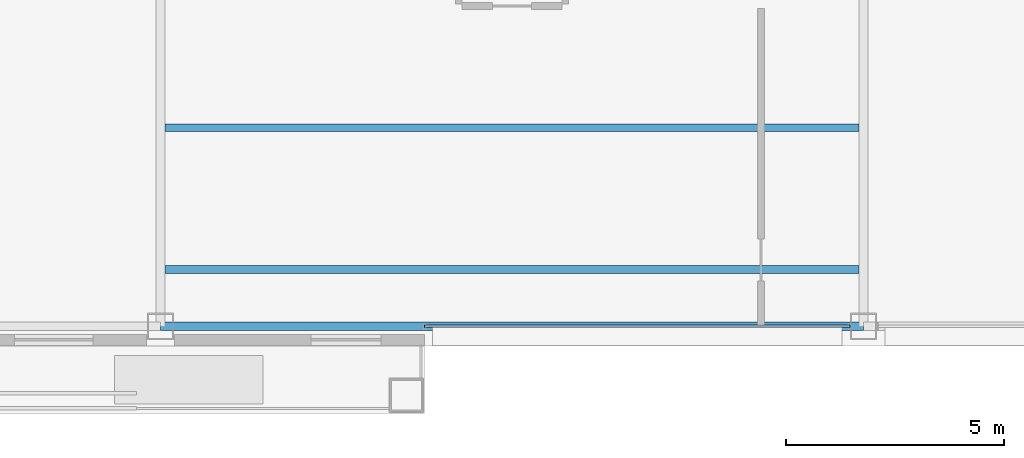
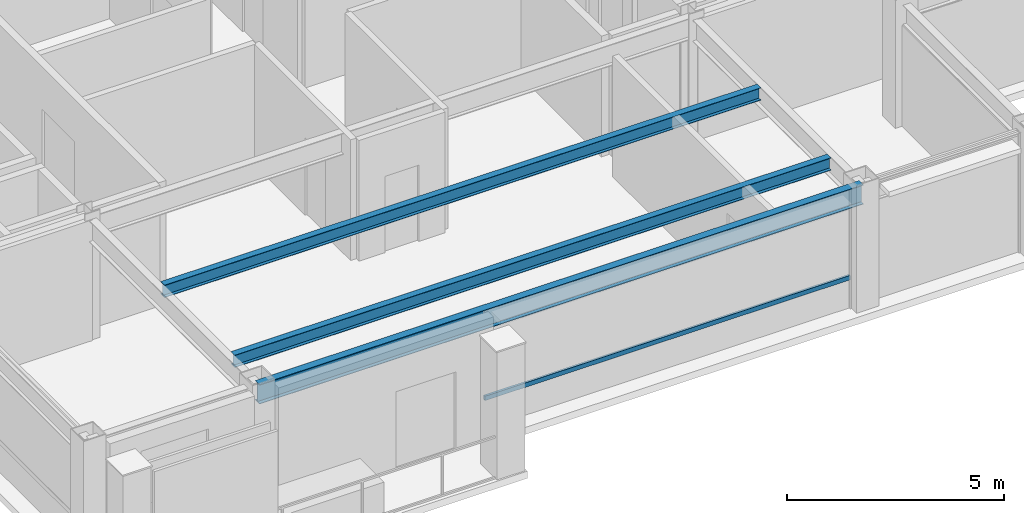
# One storey, part 6 of 24: 3 beams, 1 member, 1 element without a shape of its own.
"""IFC4 building model written with IfcOpenShell, lengths in metres."""

from ifc_helpers import new_model, si_unit, direction, frame, origin, origin_2d, place, context, subcontext, project, spatial, hollow_rectangle, i_section, extrude, material, layer, layer_set, material_profile, profile_set, type_object, element, aggregate, save


model = new_model("IFC4")

# Units and contexts
model_context = context("Model", 3, precision=1e-05, world=origin(), true_north=direction((0.0, 1.0)))
body_context = subcontext(model_context, "Body", "Model", "MODEL_VIEW")
ifc_project = project(units=[si_unit("LENGTHUNIT", "METRE"), si_unit("AREAUNIT", "SQUARE_METRE"), si_unit("VOLUMEUNIT", "CUBIC_METRE"), si_unit("PLANEANGLEUNIT", "RADIAN"), si_unit("MASSUNIT", "GRAM", prefix="KILO")], contexts=[model_context])

# Site, building, storey
site_placement = place(None, origin())
site = spatial("IfcSite", under=ifc_project, at=site_placement, CompositionType="ELEMENT")
building_placement = place(site_placement, origin())
building = spatial("IfcBuilding", under=site, at=building_placement, Name="Brelmoor Portico Tower", CompositionType="ELEMENT")
storey_placement = place(building_placement, frame((0.0, 0.0, 254.39990234375)))
storey = spatial("IfcBuildingStorey", under=building, at=storey_placement, Name="L67", CompositionType="ELEMENT", Elevation=254.39990234375)

# Beams
ifc_material_1 = material(Name="Steel Q355B", Category="steel")
ifc_material_profile_1 = material_profile(ifc_material_1, i_section(OverallWidth=0.175048828125, OverallDepth=0.35009765625, WebThickness=0.007080078125, FlangeThickness=0.010986328125, at=origin_2d()), Name="HN 350x175x7x11")
ifc_profile_set_1 = profile_set([ifc_material_profile_1], Name="Steel Q355B")
beam_type_1 = type_object("IfcBeamType", Name="BM-JS-350", PredefinedType="JOIST", material=ifc_profile_set_1)
for number, where, z_axis, x_axis, name in (
    (1, (-7.949951171875, -16.25, 3.22509765625), (1.0, 0.0, 0.0), (0.0, 1.0, 0.0), "L67 Secondary Composite Joist JS-C01"),
    (2, (-7.949951171875, -13.0, 3.22509765625), (1.0, 0.0, 0.0), (0.0, 1.0, 0.0), "L67 Secondary Composite Joist JS-C02"),
):
    element("IfcBeam", number, at=place(storey_placement, frame(where, z_axis=z_axis, x_axis=x_axis)), inside=storey, type_object=beam_type_1, Name=name, PredefinedType="JOIST", context=body_context, shape_type="SweptSolid", body=[
        extrude(i_section(OverallWidth=0.175048828125, OverallDepth=0.35009765625, WebThickness=0.007080078125, FlangeThickness=0.010986328125, at=origin_2d()), origin(), (0.0, 0.0, 1.0), 15.89990234375),
    ])
ifc_material_profile_2 = material_profile(ifc_material_1, i_section(OverallWidth=0.199951171875, OverallDepth=0.550048828125, WebThickness=0.010009765625, FlangeThickness=0.01611328125, at=origin_2d()), Name="HN 550x200x10x16")
ifc_profile_set_2 = profile_set([ifc_material_profile_2], Name="Steel Q355B")
beam_type_2 = type_object("IfcBeamType", Name="BM-SP-550", PredefinedType="SPANDREL", material=ifc_profile_set_2)
beam_placement = place(storey_placement, frame((-8.050048828125, -17.550048828125, 3.125), z_axis=(1.0, 0.0, 0.0), x_axis=(0.0, 1.0, 0.0)))
element("IfcBeam", 3, at=beam_placement, inside=storey, type_object=beam_type_2, Name="L67 Perimeter Spandrel Beam SP-02", PredefinedType="SPANDREL", context=body_context, shape_type="SweptSolid", body=[
    extrude(i_section(OverallWidth=0.199951171875, OverallDepth=0.550048828125, WebThickness=0.010009765625, FlangeThickness=0.01611328125, at=origin_2d()), origin(), (0.0, 0.0, 1.0), 16.10009765625),
])

# Curtain wall, member
ifc_material_2 = material(Name="Anodised Aluminium Alloy 6063-T6", Category="aluminium")
ifc_layer = layer(ifc_material_2, 0.179931640625)
ifc_layer_set = layer_set([ifc_layer], Name="Anodised Aluminium Alloy 6063-T6")
curtain_wall_type = type_object("IfcCurtainWallType", Name="CW-TOWER-Z4", PredefinedType="NOTDEFINED", material=ifc_layer_set)
curtain_wall_placement = place(storey_placement, origin())
curtain_wall = element("IfcCurtainWall", 4, at=curtain_wall_placement, inside=storey, type_object=curtain_wall_type, Name="L67 Curtain Wall CW-L67-1R-1", PredefinedType="NOTDEFINED")
ifc_material_profile_3 = material_profile(ifc_material_2, hollow_rectangle(XDim=0.06005859375, YDim=0.125, WallThickness=0.00341796875, at=origin_2d()), Name="ALU TRANSOM 60x125")
ifc_profile_set_3 = profile_set([ifc_material_profile_3], Name="Anodised Aluminium Alloy 6063-T6")
member_type = type_object("IfcMemberType", Name="MB-CW-TRAN-125", PredefinedType="USERDEFINED", material=ifc_profile_set_3)
member_placement = place(storey_placement, frame((-2.0, -17.550048828125, 0.85009765625), z_axis=(1.0, 0.0, 0.0), x_axis=(0.0, 1.0, 0.0)))
member = element("IfcMember", 5, at=member_placement, type_object=member_type, Name="CW-L67-1R-1 Transom 1-00", ObjectType="TRANSOM", PredefinedType="USERDEFINED", context=body_context, shape_type="SweptSolid", body=[
    extrude(hollow_rectangle(XDim=0.06005859375, YDim=0.125, WallThickness=0.00341796875, at=origin_2d()), origin(), (0.0, 0.0, 1.0), 9.739990234375),
])
aggregate(curtain_wall, [member])

save(model, "model.ifc")
